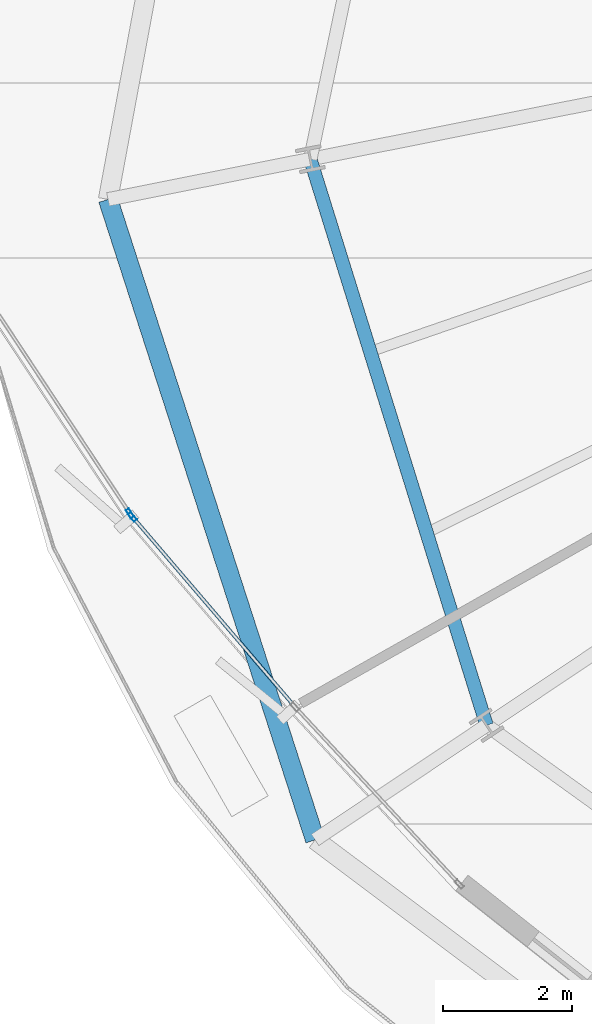
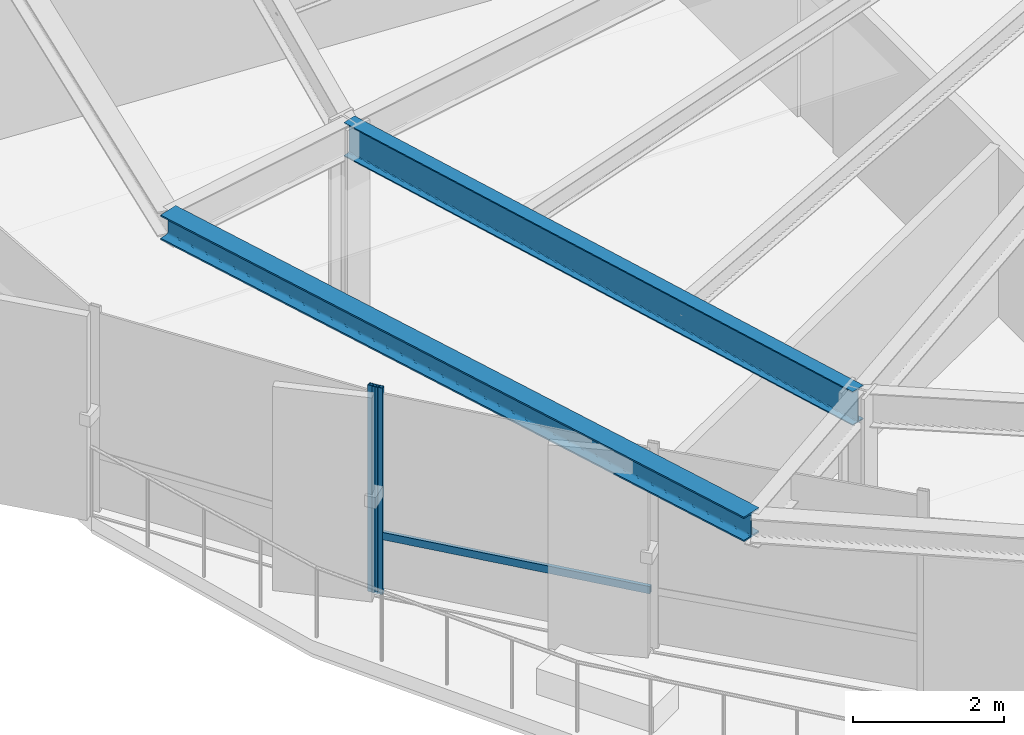
# One storey, part 3 of 35: 3 members, 2 beams, 2 elements without a shape of their own.
"""IFC4 building model written with IfcOpenShell, lengths in metres."""

from ifc_helpers import new_model, si_unit, direction, frame, origin, origin_2d, place, context, subcontext, project, spatial, hollow_rectangle, i_section, extrude, source, transform, mapped, material, layer, layer_set, material_profile, profile_set, type_object, element, aggregate, save


model = new_model("IFC4")

# Units and contexts
model_context = context("Model", 3, precision=1e-05, world=origin(), true_north=direction((0.0, 1.0)))
body_context = subcontext(model_context, "Body", "Model", "MODEL_VIEW")
ifc_project = project(units=[si_unit("LENGTHUNIT", "METRE"), si_unit("AREAUNIT", "SQUARE_METRE"), si_unit("VOLUMEUNIT", "CUBIC_METRE"), si_unit("PLANEANGLEUNIT", "RADIAN"), si_unit("MASSUNIT", "GRAM", prefix="KILO"), si_unit("THERMODYNAMICTEMPERATUREUNIT", "KELVIN")], contexts=[model_context])

# Site, building, storey
site_placement = place(None, origin())
site = spatial("IfcSite", under=ifc_project, at=site_placement, CompositionType="ELEMENT")
building_placement = place(site_placement, origin())
building = spatial("IfcBuilding", under=site, at=building_placement, Name="Kethvar Cultural Tower", CompositionType="ELEMENT")
storey_placement = place(building_placement, frame((0.0, 0.0, 121.60009765625)))
storey = spatial("IfcBuildingStorey", under=building, at=storey_placement, Name="L30", CompositionType="ELEMENT", Elevation=121.60009765625)

# Beams
ifc_material_1 = material(Name="Steel S355J2", Category="steel")
ifc_material_profile_1 = material_profile(ifc_material_1, i_section(OverallWidth=0.2099609375, OverallDepth=0.550048828125, WebThickness=0.010986328125, FlangeThickness=0.01708984375, FilletRadius=0.02392578125, at=origin_2d()), Name="Steel S355J2 — IPE550")
ifc_profile_set_1 = profile_set([ifc_material_profile_1], Name="Steel S355J2 — IPE550")
beam_type_1 = type_object("IfcBeamType", Name="BM-IPE550", PredefinedType="BEAM", material=ifc_profile_set_1)
shared_shape_1 = source(origin(), body_context, "Body", "SweptSolid", [
    extrude(i_section(OverallWidth=0.2099609375, OverallDepth=0.550048828125, WebThickness=0.010986328125, FlangeThickness=0.01708984375, FilletRadius=0.02392578125, at=origin_2d()), origin(), (0.0, 0.0, 1.0), 9.20068359375),
])
beam_1_placement = place(storey_placement, frame((24.185302734375, 23.3017578125, 3.072998046875), z_axis=(0.297298800285, -0.954784490526, 0.0), x_axis=(0.954784490526, 0.297298800285, 0.0)))
element("IfcBeam", 1, at=beam_1_placement, inside=storey, type_object=beam_type_1, Name="L30 Column Ring Tie Beam CR-09", PredefinedType="BEAM", context=body_context, shape_type="MappedRepresentation", body=[
    mapped(shared_shape_1, transform((0.0, 0.0, 0.0), scale=1.0)),
])
ifc_material_profile_2 = material_profile(ifc_material_1, i_section(OverallWidth=0.300048828125, OverallDepth=0.39990234375, WebThickness=0.013427734375, FlangeThickness=0.02392578125, FilletRadius=0.027099609375, at=origin_2d()), Name="Steel S355J2 — HEB400")
ifc_profile_set_2 = profile_set([ifc_material_profile_2], Name="Steel S355J2 — HEB400")
beam_type_2 = type_object("IfcBeamType", Name="BM-SP400", PredefinedType="SPANDREL", material=ifc_profile_set_2)
shared_shape_2 = source(origin(), body_context, "Body", "SweptSolid", [
    extrude(i_section(OverallWidth=0.300048828125, OverallDepth=0.39990234375, WebThickness=0.013427734375, FlangeThickness=0.02392578125, FilletRadius=0.027099609375, at=origin_2d()), origin(), (0.0, 0.0, 1.0), 10.44482421875),
])
beam_2_placement = place(storey_placement, frame((21.046875, 22.677490234375, 3.14794921875), z_axis=(0.307631709258, -0.951505507845, 0.0), x_axis=(0.951505507845, 0.307631709258, 0.0)))
element("IfcBeam", 2, at=beam_2_placement, inside=storey, type_object=beam_type_2, Name="L30 Perimeter Spandrel Beam SP-09", PredefinedType="SPANDREL", context=body_context, shape_type="MappedRepresentation", body=[
    mapped(shared_shape_2, transform((0.0, 0.0, 0.0), scale=1.0)),
])

# Curtain wall, member
ifc_material_2 = material(Name="Aluminium 6063-T6", Category="aluminium")
ifc_layer = layer(ifc_material_2, 0.179931640625, Name="Aluminium 6063-T6", Category="aluminium")
ifc_layer_set = layer_set([ifc_layer], Name="Aluminium 6063-T6 (180 mm)")
curtain_wall_type = type_object("IfcCurtainWallType", Name="CW-SYS-03-Z2", PredefinedType="NOTDEFINED", material=ifc_layer_set)
curtain_wall_1_placement = place(storey_placement, origin())
curtain_wall_1 = element("IfcCurtainWall", 3, at=curtain_wall_1_placement, inside=storey, type_object=curtain_wall_type, Name="L30 Curtain Wall Run 03", PredefinedType="NOTDEFINED")
ifc_material_profile_3 = material_profile(ifc_material_2, hollow_rectangle(XDim=0.06005859375, YDim=0.14990234375, WallThickness=0.0048828125, at=origin_2d()), Name="Aluminium 6063-T6 — RHS150x60x5")
ifc_profile_set_3 = profile_set([ifc_material_profile_3], Name="Aluminium 6063-T6 — RHS150x60x5")
member_type_1 = type_object("IfcMemberType", Name="CW-SYS-03-Z2-MUL", PredefinedType="MULLION", material=ifc_profile_set_3)
shared_shape_3 = source(origin(), body_context, "Body", "SweptSolid", [
    extrude(hollow_rectangle(XDim=0.06005859375, YDim=0.14990234375, WallThickness=0.0048828125, at=origin_2d()), origin(), (0.0, 0.0, 1.0), 3.349853515625),
])
member_1_placement = place(storey_placement, frame((21.38671875, 17.8046875, 0.0), z_axis=(0.0, 0.0, 1.0), x_axis=(0.834482587026, 0.551034311046, 0.0)))
member_1 = element("IfcMember", 4, at=member_1_placement, type_object=member_type_1, Name="CW-L30-R03 Mullion 7", PredefinedType="MULLION", context=body_context, shape_type="MappedRepresentation", body=[
    mapped(shared_shape_3, transform((0.0, 0.0, 0.0), scale=1.0)),
])
aggregate(curtain_wall_1, [member_1])

# Curtain wall, members
curtain_wall_2_placement = place(storey_placement, origin())
curtain_wall_2 = element("IfcCurtainWall", 5, at=curtain_wall_2_placement, inside=storey, type_object=curtain_wall_type, Name="L30 Curtain Wall Run 04", PredefinedType="NOTDEFINED")
member_2_placement = place(storey_placement, frame((21.425048828125, 17.75390625, 0.0), z_axis=(0.0, 0.0, 1.0), x_axis=(0.760054469108, 0.649859372472, 0.0)))
member_2 = element("IfcMember", 6, at=member_2_placement, type_object=member_type_1, Name="CW-L30-R04 Mullion 1", PredefinedType="MULLION", context=body_context, shape_type="MappedRepresentation", body=[
    mapped(shared_shape_3, transform((0.0, 0.0, 0.0), scale=1.0)),
])
ifc_material_profile_4 = material_profile(ifc_material_2, hollow_rectangle(XDim=0.054931640625, YDim=0.1201171875, WallThickness=0.00390625, at=origin_2d()), Name="Aluminium 6063-T6 — RHS120x55x4")
ifc_profile_set_4 = profile_set([ifc_material_profile_4], Name="Aluminium 6063-T6 — RHS120x55x4")
member_type_2 = type_object("IfcMemberType", Name="CW-SYS-03-Z2-TRN", PredefinedType="USERDEFINED", material=ifc_profile_set_4)
shared_shape_4 = source(origin(), body_context, "Body", "SweptSolid", [
    extrude(hollow_rectangle(XDim=0.054931640625, YDim=0.1201171875, WallThickness=0.00390625, at=origin_2d()), origin(), (0.0, 0.0, 1.0), 3.83642578125),
])
member_3_placement = place(storey_placement, frame((21.427734375, 17.75048828125, 0.949951171875), z_axis=(0.649878998095, -0.76003768843, 0.0), x_axis=(0.76003768843, 0.649878998095, 0.0)))
member_3 = element("IfcMember", 7, at=member_3_placement, type_object=member_type_2, Name="CW-L30-R04 Transom 1", ObjectType="TRANSOM", PredefinedType="USERDEFINED", context=body_context, shape_type="MappedRepresentation", body=[
    mapped(shared_shape_4, transform((0.0, 0.0, 0.0), scale=1.0)),
])
aggregate(curtain_wall_2, [member_2, member_3])

save(model, "model.ifc")
